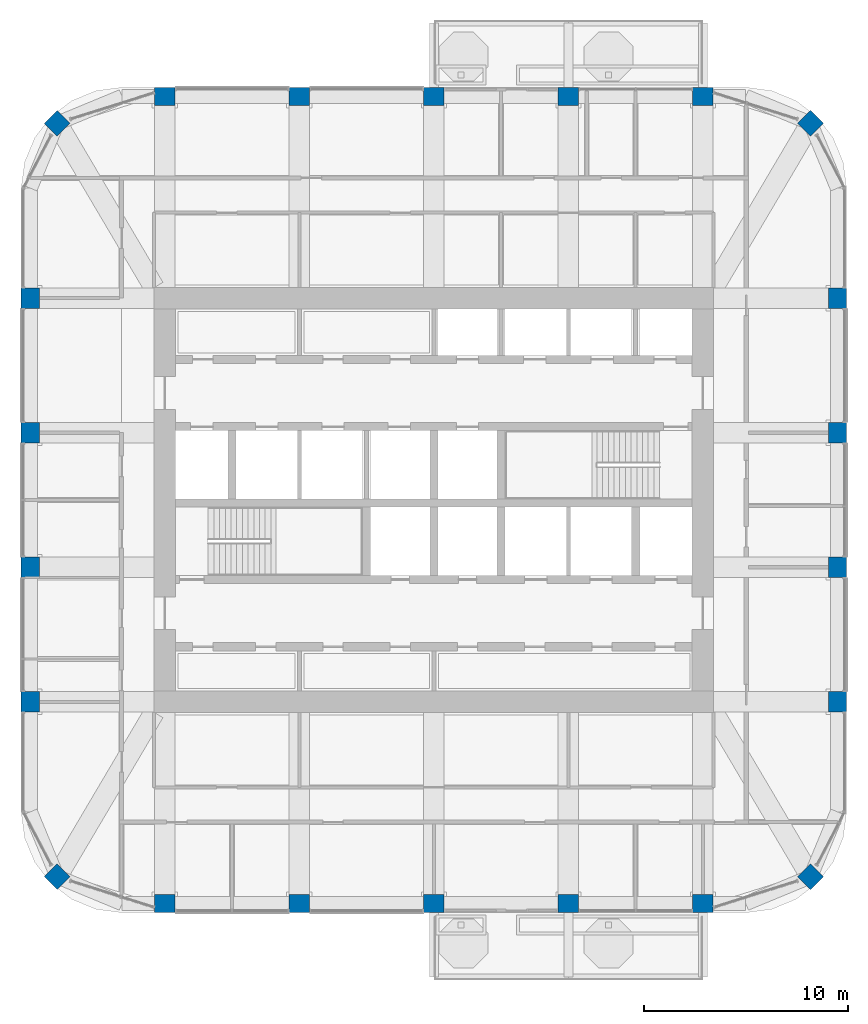
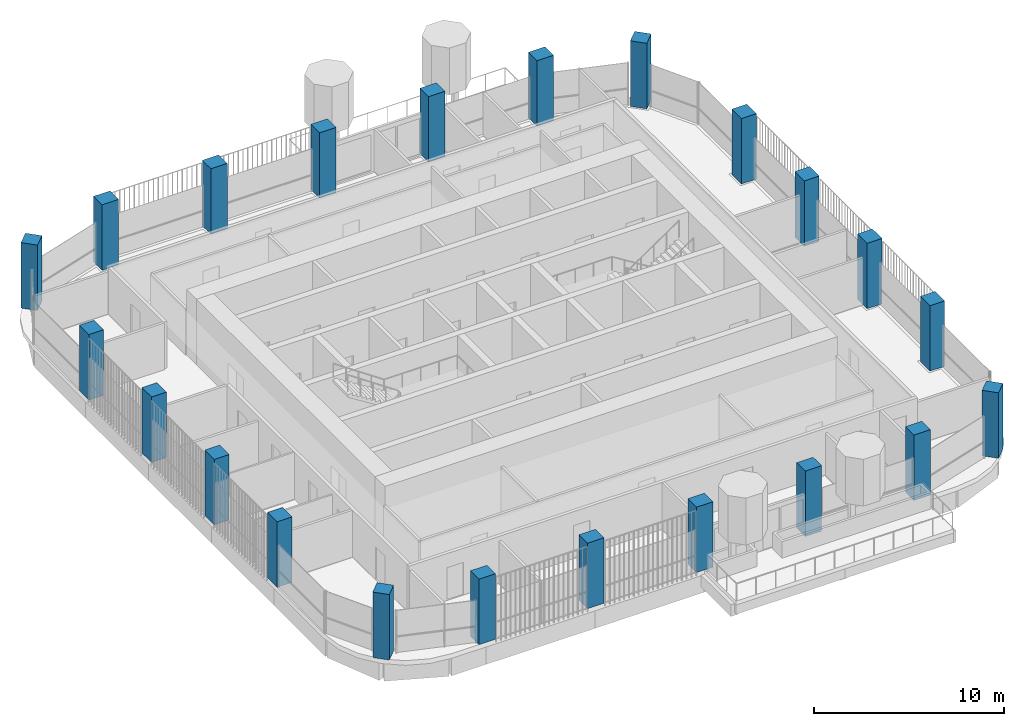
# One storey, part 1 of 21: 22 columns.
"""IFC4 building model written with IfcOpenShell, lengths in metres."""

from ifc_helpers import new_model, si_unit, direction, frame, origin, origin_2d, place, context, subcontext, project, spatial, rectangle, extrude, material, material_profile, profile_set, type_object, element, save


model = new_model("IFC4")

# Units and contexts
model_context = context("Model", 3, precision=1e-05, world=origin(), true_north=direction((0.0, 1.0)))
body_context = subcontext(model_context, "Body", "Model", "MODEL_VIEW")
ifc_project = project(units=[si_unit("LENGTHUNIT", "METRE"), si_unit("AREAUNIT", "SQUARE_METRE"), si_unit("VOLUMEUNIT", "CUBIC_METRE"), si_unit("PLANEANGLEUNIT", "RADIAN"), si_unit("MASSUNIT", "GRAM", prefix="KILO")], contexts=[model_context])

# Site, building, storey
site_placement = place(None, origin())
site = spatial("IfcSite", under=ifc_project, at=site_placement, CompositionType="ELEMENT")
building_placement = place(site_placement, origin())
building = spatial("IfcBuilding", under=site, at=building_placement, Name="Cobogo Forest Laboratory Tower", CompositionType="ELEMENT")
storey_placement = place(building_placement, frame((0.0, 0.0, 283.800048828125)))
storey = spatial("IfcBuildingStorey", under=building, at=storey_placement, Name="L65", CompositionType="ELEMENT", Elevation=283.800048828125)

# Columns
ifc_material = material(Name="Concrete HA-50 (C50/60)", Category="concrete")
ifc_material_profile_1 = material_profile(ifc_material, rectangle(XDim=1.0, YDim=0.89990234375, at=origin_2d()), Name="RC 900x1000")
ifc_profile_set_1 = profile_set([ifc_material_profile_1], Name="Concrete HA-50 (C50/60)")
column_type_1 = type_object("IfcColumnType", Name="Blade column 900x1000", PredefinedType="COLUMN", material=ifc_profile_set_1)
for number, where, z_axis, x_axis, name in (
    (1, (13.199951171875, 3.300048828125, 0.0), (0.0, 0.0, 1.0), (1.0, 0.0, 0.0), "Column 3-A.1 L65"),
    (2, (19.800048828125, 3.300048828125, 0.0), (0.0, 0.0, 1.0), (1.0, 0.0, 0.0), "Column 4-A.1 L65"),
    (3, (26.39990234375, 3.300048828125, 0.0), (0.0, 0.0, 1.0), (1.0, 0.0, 0.0), "Column 5-A.1 L65"),
    (4, (33.0, 3.300048828125, 0.0), (0.0, 0.0, 1.0), (1.0, 0.0, 0.0), "Column 6-A.1 L65"),
    (5, (39.60009765625, 3.300048828125, 0.0), (0.0, 0.0, 1.0), (1.0, 0.0, 0.0), "Column 7-A.1 L65"),
    (6, (6.60009765625, 13.199951171875, 0.0), (0.0, 0.0, 1.0), (0.0, 1.0, 0.0), "Column 2-C L65"),
    (7, (46.199951171875, 13.199951171875, 0.0), (0.0, 0.0, 1.0), (0.0, 1.0, 0.0), "Column 8-C L65"),
    (8, (6.60009765625, 19.800048828125, 0.0), (0.0, 0.0, 1.0), (0.0, 1.0, 0.0), "Column 2-D L65"),
    (9, (46.199951171875, 19.800048828125, 0.0), (0.0, 0.0, 1.0), (0.0, 1.0, 0.0), "Column 8-D L65"),
    (10, (6.60009765625, 26.39990234375, 0.0), (0.0, 0.0, 1.0), (0.0, 1.0, 0.0), "Column 2-E L65"),
    (11, (46.199951171875, 26.39990234375, 0.0), (0.0, 0.0, 1.0), (0.0, 1.0, 0.0), "Column 8-E L65"),
    (12, (6.60009765625, 33.0, 0.0), (0.0, 0.0, 1.0), (0.0, 1.0, 0.0), "Column 2-F L65"),
    (13, (46.199951171875, 33.0, 0.0), (0.0, 0.0, 1.0), (0.0, 1.0, 0.0), "Column 8-F L65"),
    (14, (13.199951171875, 42.89990234375, 0.0), (0.0, 0.0, 1.0), (1.0, 0.0, 0.0), "Column 3-G.1 L65"),
    (15, (19.800048828125, 42.89990234375, 0.0), (0.0, 0.0, 1.0), (1.0, 0.0, 0.0), "Column 4-G.1 L65"),
    (16, (26.39990234375, 42.89990234375, 0.0), (0.0, 0.0, 1.0), (1.0, 0.0, 0.0), "Column 5-G.1 L65"),
    (17, (33.0, 42.89990234375, 0.0), (0.0, 0.0, 1.0), (1.0, 0.0, 0.0), "Column 6-G.1 L65"),
    (18, (39.60009765625, 42.89990234375, 0.0), (0.0, 0.0, 1.0), (1.0, 0.0, 0.0), "Column 7-G.1 L65"),
):
    element("IfcColumn", number, at=place(storey_placement, frame(where, z_axis=z_axis, x_axis=x_axis)), inside=storey, type_object=column_type_1, Name=name, PredefinedType="COLUMN", context=body_context, shape_type="SweptSolid", body=[
        extrude(rectangle(XDim=1.0, YDim=0.89990234375, at=origin_2d()), origin(), (0.0, 0.0, 1.0), 4.199951171875),
    ])
ifc_material_profile_2 = material_profile(ifc_material, rectangle(XDim=0.89990234375, YDim=0.89990234375, at=origin_2d()), Name="RC 900x900")
ifc_profile_set_2 = profile_set([ifc_material_profile_2], Name="Concrete HA-50 (C50/60)")
column_type_2 = type_object("IfcColumnType", Name="Column 900x900", PredefinedType="COLUMN", material=ifc_profile_set_2)
for number, where, z_axis, x_axis, name in (
    (19, (7.91796875, 4.617919921875, 0.0), (0.0, 0.0, 1.0), (0.707106781187, 0.707106781187, 0.0), "Column CNR-SW L65"),
    (20, (44.882080078125, 4.617919921875, 0.0), (0.0, 0.0, 1.0), (0.707106781187, 0.707106781187, 0.0), "Column CNR-SE L65"),
    (21, (7.91796875, 41.58203125, 0.0), (0.0, 0.0, 1.0), (0.707106781187, 0.707106781187, 0.0), "Column CNR-NW L65"),
    (22, (44.882080078125, 41.58203125, 0.0), (0.0, 0.0, 1.0), (0.707106781187, 0.707106781187, 0.0), "Column CNR-NE L65"),
):
    element("IfcColumn", number, at=place(storey_placement, frame(where, z_axis=z_axis, x_axis=x_axis)), inside=storey, type_object=column_type_2, Name=name, PredefinedType="COLUMN", context=body_context, shape_type="SweptSolid", body=[
        extrude(rectangle(XDim=0.89990234375, YDim=0.89990234375, at=origin_2d()), origin(), (0.0, 0.0, 1.0), 4.199951171875),
    ])

save(model, "model.ifc")
